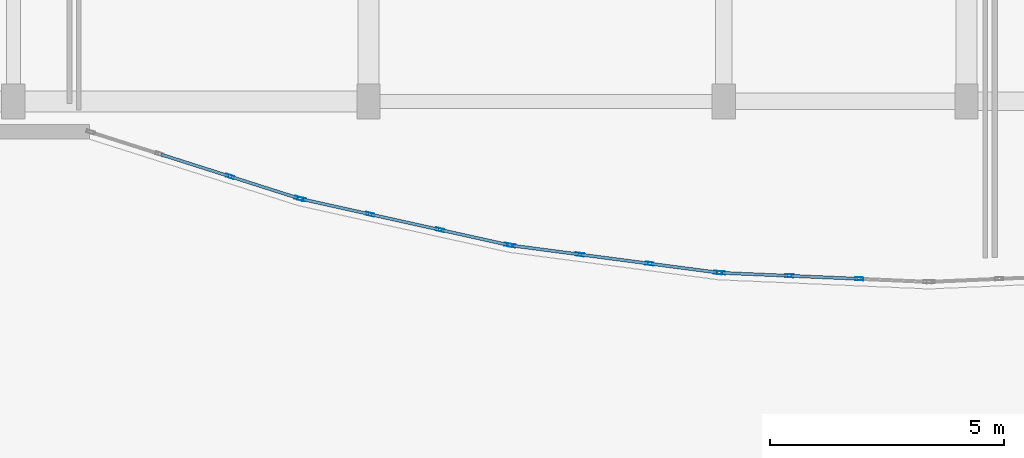
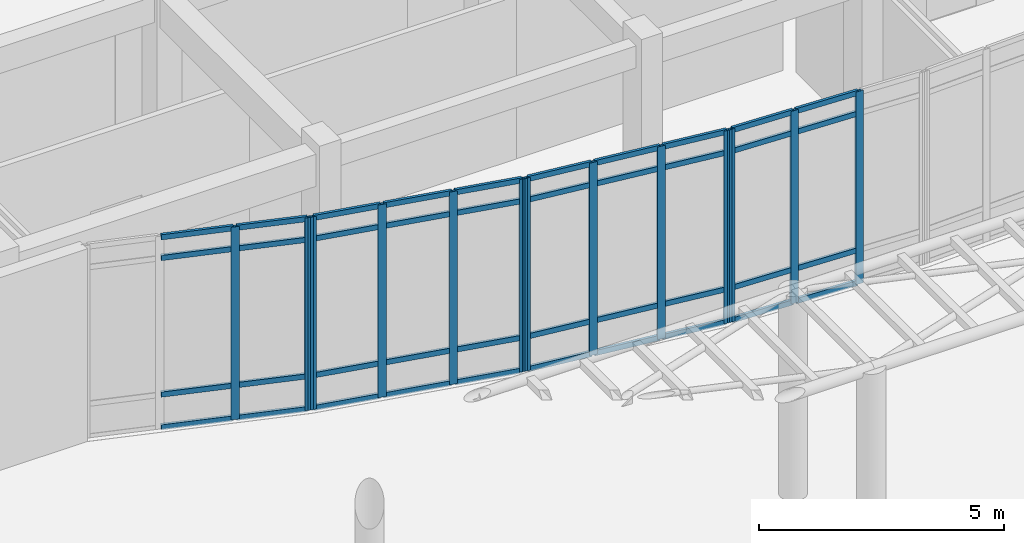
# One storey, part 55 of 121: 53 members, 4 elements without a shape of their own.
"""IFC4 building model written with IfcOpenShell, lengths in metres."""

from ifc_helpers import new_model, si_unit, direction, frame, origin, origin_2d, place, context, subcontext, project, spatial, hollow_rectangle, extrude, material, layer, layer_set, material_profile, profile_set, type_object, element, aggregate, save


model = new_model("IFC4")

# Units and contexts
model_context = context("Model", 3, precision=1e-05, world=origin(), true_north=direction((0.0, 1.0)))
body_context = subcontext(model_context, "Body", "Model", "MODEL_VIEW")
ifc_project = project(units=[si_unit("LENGTHUNIT", "METRE"), si_unit("AREAUNIT", "SQUARE_METRE"), si_unit("VOLUMEUNIT", "CUBIC_METRE"), si_unit("PLANEANGLEUNIT", "RADIAN"), si_unit("MASSUNIT", "GRAM", prefix="KILO")], contexts=[model_context])

# Site, building, storey
site_placement = place(None, origin())
site = spatial("IfcSite", under=ifc_project, at=site_placement, CompositionType="ELEMENT")
building_placement = place(site_placement, origin())
building = spatial("IfcBuilding", under=site, at=building_placement, Name="Valcora Specialist Clinic", CompositionType="ELEMENT")
storey_placement = place(building_placement, origin())
storey = spatial("IfcBuildingStorey", under=building, at=storey_placement, Name="L00", CompositionType="ELEMENT", Elevation=0.0)

# Curtain wall, members
ifc_material = material(Name="Anodized Bronze Aluminium 6063-T6", Category="aluminium")
ifc_layer = layer(ifc_material, 0.175048828125)
ifc_layer_set = layer_set([ifc_layer], Name="Anodized Bronze Aluminium 6063-T6")
curtain_wall_type = type_object("IfcCurtainWallType", Name="TY-CW-ARC51", PredefinedType="NOTDEFINED", material=ifc_layer_set)
curtain_wall_1_placement = place(storey_placement, origin())
curtain_wall_1 = element("IfcCurtainWall", 1, at=curtain_wall_1_placement, inside=storey, type_object=curtain_wall_type, Name="Curtain wall CW-L00-025", PredefinedType="NOTDEFINED")
ifc_material_profile_1 = material_profile(ifc_material, hollow_rectangle(XDim=0.06494140625, YDim=0.175048828125, WallThickness=0.00390625, at=origin_2d()), Name="AL-MUL-65X175")
ifc_profile_set_1 = profile_set([ifc_material_profile_1], Name="Anodized Bronze Aluminium 6063-T6")
member_type_1 = type_object("IfcMemberType", Name="TY-CWM-65X175", PredefinedType="MULLION", material=ifc_profile_set_1)
member_1_placement = place(storey_placement, frame((108.904296875, 71.0, 0.0), z_axis=(0.0, 0.0, 1.0), x_axis=(-0.043306780525, -0.999061821291, 0.0)))
member_1 = element("IfcMember", 2, at=member_1_placement, type_object=member_type_1, Name="CW-ARC-51 mullion 2", PredefinedType="MULLION", context=body_context, shape_type="SweptSolid", body=[
    extrude(hollow_rectangle(XDim=0.06494140625, YDim=0.175048828125, WallThickness=0.00390625, at=origin_2d()), origin(), (0.0, 0.0, 1.0), 4.81005859375),
])
member_2_placement = place(storey_placement, frame((107.40869140625, 71.064697265625, 0.0), z_axis=(0.0, 0.0, 1.0), x_axis=(-0.043306780525, -0.999061821291, 0.0)))
member_2 = element("IfcMember", 3, at=member_2_placement, type_object=member_type_1, Name="CW-ARC-51 mullion 3", PredefinedType="MULLION", context=body_context, shape_type="SweptSolid", body=[
    extrude(hollow_rectangle(XDim=0.06494140625, YDim=0.175048828125, WallThickness=0.00390625, at=origin_2d()), origin(), (0.0, 0.0, 1.0), 4.81005859375),
])
member_3_placement = place(storey_placement, frame((105.945556640625, 71.128173828125, 0.0), z_axis=(0.0, 0.0, 1.0), x_axis=(-0.043306780525, -0.999061821291, 0.0)))
member_3 = element("IfcMember", 4, at=member_3_placement, type_object=member_type_1, Name="CW-ARC-51 mullion 4", PredefinedType="MULLION", context=body_context, shape_type="SweptSolid", body=[
    extrude(hollow_rectangle(XDim=0.06494140625, YDim=0.175048828125, WallThickness=0.00390625, at=origin_2d()), origin(), (0.0, 0.0, 1.0), 4.81005859375),
])

curtain_wall_2_placement = place(storey_placement, origin())
curtain_wall_2 = element("IfcCurtainWall", 5, at=curtain_wall_2_placement, inside=storey, type_object=curtain_wall_type, Name="Curtain wall CW-L00-026", PredefinedType="NOTDEFINED")
member_4_placement = place(storey_placement, frame((105.880859375, 71.1337890625, 0.0), z_axis=(0.0, 0.0, 1.0), x_axis=(-0.129999492259, -0.991514060421, 0.0)))
member_4 = element("IfcMember", 6, at=member_4_placement, type_object=member_type_1, Name="CW-ARC-51 mullion 1", PredefinedType="MULLION", context=body_context, shape_type="SweptSolid", body=[
    extrude(hollow_rectangle(XDim=0.06494140625, YDim=0.175048828125, WallThickness=0.00390625, at=origin_2d()), origin(), (0.0, 0.0, 1.0), 4.81005859375),
])
member_5_placement = place(storey_placement, frame((104.417236328125, 71.32568359375, 0.0), z_axis=(0.0, 0.0, 1.0), x_axis=(-0.129999492259, -0.991514060421, 0.0)))
member_5 = element("IfcMember", 7, at=member_5_placement, type_object=member_type_1, Name="CW-ARC-51 mullion 2", PredefinedType="MULLION", context=body_context, shape_type="SweptSolid", body=[
    extrude(hollow_rectangle(XDim=0.06494140625, YDim=0.175048828125, WallThickness=0.00390625, at=origin_2d()), origin(), (0.0, 0.0, 1.0), 4.81005859375),
])
member_6_placement = place(storey_placement, frame((102.921630859375, 71.521728515625, 0.0), z_axis=(0.0, 0.0, 1.0), x_axis=(-0.129999492259, -0.991514060421, 0.0)))
member_6 = element("IfcMember", 8, at=member_6_placement, type_object=member_type_1, Name="CW-ARC-51 mullion 3", PredefinedType="MULLION", context=body_context, shape_type="SweptSolid", body=[
    extrude(hollow_rectangle(XDim=0.06494140625, YDim=0.175048828125, WallThickness=0.00390625, at=origin_2d()), origin(), (0.0, 0.0, 1.0), 4.81005859375),
])
member_7_placement = place(storey_placement, frame((101.458251953125, 71.713623046875, 0.0), z_axis=(0.0, 0.0, 1.0), x_axis=(-0.129999492259, -0.991514060421, 0.0)))
member_7 = element("IfcMember", 9, at=member_7_placement, type_object=member_type_1, Name="CW-ARC-51 mullion 4", PredefinedType="MULLION", context=body_context, shape_type="SweptSolid", body=[
    extrude(hollow_rectangle(XDim=0.06494140625, YDim=0.175048828125, WallThickness=0.00390625, at=origin_2d()), origin(), (0.0, 0.0, 1.0), 4.81005859375),
])

curtain_wall_3_placement = place(storey_placement, origin())
curtain_wall_3 = element("IfcCurtainWall", 10, at=curtain_wall_3_placement, inside=storey, type_object=curtain_wall_type, Name="Curtain wall CW-L00-027", PredefinedType="NOTDEFINED")
member_8_placement = place(storey_placement, frame((101.394287109375, 71.724853515625, 0.0), z_axis=(0.0, 0.0, 1.0), x_axis=(-0.216518052372, -0.976278614432, 0.0)))
member_8 = element("IfcMember", 11, at=member_8_placement, type_object=member_type_1, Name="CW-ARC-51 mullion 1", PredefinedType="MULLION", context=body_context, shape_type="SweptSolid", body=[
    extrude(hollow_rectangle(XDim=0.06494140625, YDim=0.175048828125, WallThickness=0.00390625, at=origin_2d()), origin(), (0.0, 0.0, 1.0), 4.81005859375),
])
member_9_placement = place(storey_placement, frame((99.930419921875, 72.049560546875, 0.0), z_axis=(0.0, 0.0, 1.0), x_axis=(-0.216518052372, -0.976278614432, 0.0)))
member_9 = element("IfcMember", 12, at=member_9_placement, type_object=member_type_1, Name="CW-ARC-51 mullion 2", PredefinedType="MULLION", context=body_context, shape_type="SweptSolid", body=[
    extrude(hollow_rectangle(XDim=0.06494140625, YDim=0.175048828125, WallThickness=0.00390625, at=origin_2d()), origin(), (0.0, 0.0, 1.0), 4.81005859375),
])
member_10_placement = place(storey_placement, frame((98.434814453125, 72.38134765625, 0.0), z_axis=(0.0, 0.0, 1.0), x_axis=(-0.216518052372, -0.976278614432, 0.0)))
member_10 = element("IfcMember", 13, at=member_10_placement, type_object=member_type_1, Name="CW-ARC-51 mullion 3", PredefinedType="MULLION", context=body_context, shape_type="SweptSolid", body=[
    extrude(hollow_rectangle(XDim=0.06494140625, YDim=0.175048828125, WallThickness=0.00390625, at=origin_2d()), origin(), (0.0, 0.0, 1.0), 4.81005859375),
])
member_11_placement = place(storey_placement, frame((96.970947265625, 72.7060546875, 0.0), z_axis=(0.0, 0.0, 1.0), x_axis=(-0.216518052372, -0.976278614432, 0.0)))
member_11 = element("IfcMember", 14, at=member_11_placement, type_object=member_type_1, Name="CW-ARC-51 mullion 4", PredefinedType="MULLION", context=body_context, shape_type="SweptSolid", body=[
    extrude(hollow_rectangle(XDim=0.06494140625, YDim=0.175048828125, WallThickness=0.00390625, at=origin_2d()), origin(), (0.0, 0.0, 1.0), 4.81005859375),
])

curtain_wall_4_placement = place(storey_placement, origin())
curtain_wall_4 = element("IfcCurtainWall", 15, at=curtain_wall_4_placement, inside=storey, type_object=curtain_wall_type, Name="Curtain wall CW-L00-028", PredefinedType="NOTDEFINED")
member_12_placement = place(storey_placement, frame((96.908203125, 72.722900390625, 0.0), z_axis=(0.0, 0.0, 1.0), x_axis=(-0.303233270958, -0.952916356972, 0.0)))
member_12 = element("IfcMember", 16, at=member_12_placement, type_object=member_type_1, Name="CW-ARC-51 mullion 1", PredefinedType="MULLION", context=body_context, shape_type="SweptSolid", body=[
    extrude(hollow_rectangle(XDim=0.06494140625, YDim=0.175048828125, WallThickness=0.00390625, at=origin_2d()), origin(), (0.0, 0.0, 1.0), 4.81005859375),
])
member_13_placement = place(storey_placement, frame((95.433837890625, 73.19189453125, 0.0), z_axis=(0.0, 0.0, 1.0), x_axis=(-0.303233270958, -0.952916356972, 0.0)))
member_13 = element("IfcMember", 17, at=member_13_placement, type_object=member_type_1, Name="CW-ARC-51 mullion 2", PredefinedType="MULLION", context=body_context, shape_type="SweptSolid", body=[
    extrude(hollow_rectangle(XDim=0.06494140625, YDim=0.175048828125, WallThickness=0.00390625, at=origin_2d()), origin(), (0.0, 0.0, 1.0), 4.81005859375),
])

# Member
ifc_material_profile_2 = material_profile(ifc_material, hollow_rectangle(XDim=0.06494140625, YDim=0.1298828125, WallThickness=0.00390625, at=origin_2d()), Name="AL-TRN-65X130")
ifc_profile_set_2 = profile_set([ifc_material_profile_2], Name="Anodized Bronze Aluminium 6063-T6")
member_type_2 = type_object("IfcMemberType", Name="TY-CWT-65X130", PredefinedType="USERDEFINED", material=ifc_profile_set_2)
member_14_placement = place(storey_placement, frame((108.871826171875, 71.001220703125, 0.032470703125), z_axis=(-0.999054549301, 0.043474216736, 0.0), x_axis=(-0.043474216736, -0.999054549301, 0.0)))
member_14 = element("IfcMember", 18, at=member_14_placement, type_object=member_type_2, Name="CW-ARC-51 transom 2.1", ObjectType="TRANSOM", PredefinedType="USERDEFINED", context=body_context, shape_type="SweptSolid", body=[
    extrude(hollow_rectangle(XDim=0.06494140625, YDim=0.1298828125, WallThickness=0.00390625, at=origin_2d()), origin(), (0.0, 0.0, 1.0), 1.43212890625),
])

member_15_placement = place(storey_placement, frame((108.871826171875, 71.001220703125, 0.85009765625), z_axis=(-0.999054549301, 0.043474216736, 0.0), x_axis=(-0.043474216736, -0.999054549301, 0.0)))
member_15 = element("IfcMember", 19, at=member_15_placement, type_object=member_type_2, Name="CW-ARC-51 transom 2.2", ObjectType="TRANSOM", PredefinedType="USERDEFINED", context=body_context, shape_type="SweptSolid", body=[
    extrude(hollow_rectangle(XDim=0.06494140625, YDim=0.1298828125, WallThickness=0.00390625, at=origin_2d()), origin(), (0.0, 0.0, 1.0), 1.43212890625),
])

member_16_placement = place(storey_placement, frame((108.871826171875, 71.001220703125, 4.260009765625), z_axis=(-0.999054549301, 0.043474216736, 0.0), x_axis=(-0.043474216736, -0.999054549301, 0.0)))
member_16 = element("IfcMember", 20, at=member_16_placement, type_object=member_type_2, Name="CW-ARC-51 transom 2.3", ObjectType="TRANSOM", PredefinedType="USERDEFINED", context=body_context, shape_type="SweptSolid", body=[
    extrude(hollow_rectangle(XDim=0.06494140625, YDim=0.1298828125, WallThickness=0.00390625, at=origin_2d()), origin(), (0.0, 0.0, 1.0), 1.43212890625),
])

member_17_placement = place(storey_placement, frame((108.871826171875, 71.001220703125, 4.777587890625), z_axis=(-0.999054549301, 0.043474216736, 0.0), x_axis=(-0.043474216736, -0.999054549301, 0.0)))
member_17 = element("IfcMember", 21, at=member_17_placement, type_object=member_type_2, Name="CW-ARC-51 transom 2.4", ObjectType="TRANSOM", PredefinedType="USERDEFINED", context=body_context, shape_type="SweptSolid", body=[
    extrude(hollow_rectangle(XDim=0.06494140625, YDim=0.1298828125, WallThickness=0.00390625, at=origin_2d()), origin(), (0.0, 0.0, 1.0), 1.43212890625),
])

member_18_placement = place(storey_placement, frame((107.376220703125, 71.066162109375, 0.032470703125), z_axis=(-0.999063713567, 0.043263104761, 0.0), x_axis=(-0.043263104761, -0.999063713567, 0.0)))
member_18 = element("IfcMember", 22, at=member_18_placement, type_object=member_type_2, Name="CW-ARC-51 transom 3.1", ObjectType="TRANSOM", PredefinedType="USERDEFINED", context=body_context, shape_type="SweptSolid", body=[
    extrude(hollow_rectangle(XDim=0.06494140625, YDim=0.1298828125, WallThickness=0.00390625, at=origin_2d()), origin(), (0.0, 0.0, 1.0), 1.3994140625),
])

member_19_placement = place(storey_placement, frame((107.376220703125, 71.066162109375, 0.85009765625), z_axis=(-0.999063713567, 0.043263104761, 0.0), x_axis=(-0.043263104761, -0.999063713567, 0.0)))
member_19 = element("IfcMember", 23, at=member_19_placement, type_object=member_type_2, Name="CW-ARC-51 transom 3.2", ObjectType="TRANSOM", PredefinedType="USERDEFINED", context=body_context, shape_type="SweptSolid", body=[
    extrude(hollow_rectangle(XDim=0.06494140625, YDim=0.1298828125, WallThickness=0.00390625, at=origin_2d()), origin(), (0.0, 0.0, 1.0), 1.3994140625),
])

member_20_placement = place(storey_placement, frame((107.376220703125, 71.066162109375, 4.260009765625), z_axis=(-0.999063713567, 0.043263104761, 0.0), x_axis=(-0.043263104761, -0.999063713567, 0.0)))
member_20 = element("IfcMember", 24, at=member_20_placement, type_object=member_type_2, Name="CW-ARC-51 transom 3.3", ObjectType="TRANSOM", PredefinedType="USERDEFINED", context=body_context, shape_type="SweptSolid", body=[
    extrude(hollow_rectangle(XDim=0.06494140625, YDim=0.1298828125, WallThickness=0.00390625, at=origin_2d()), origin(), (0.0, 0.0, 1.0), 1.3994140625),
])

member_21_placement = place(storey_placement, frame((107.376220703125, 71.066162109375, 4.777587890625), z_axis=(-0.999063713567, 0.043263104761, 0.0), x_axis=(-0.043263104761, -0.999063713567, 0.0)))
member_21 = element("IfcMember", 25, at=member_21_placement, type_object=member_type_2, Name="CW-ARC-51 transom 3.4", ObjectType="TRANSOM", PredefinedType="USERDEFINED", context=body_context, shape_type="SweptSolid", body=[
    extrude(hollow_rectangle(XDim=0.06494140625, YDim=0.1298828125, WallThickness=0.00390625, at=origin_2d()), origin(), (0.0, 0.0, 1.0), 1.3994140625),
])

aggregate(curtain_wall_1, [member_1, member_2, member_3, member_14, member_15, member_16, member_17, member_18, member_19, member_20, member_21])

member_22_placement = place(storey_placement, frame((105.8486328125, 71.137939453125, 0.032470703125), z_axis=(-0.991500752316, 0.130100953715, 0.0), x_axis=(-0.130100953715, -0.991500752316, 0.0)))
member_22 = element("IfcMember", 26, at=member_22_placement, type_object=member_type_2, Name="CW-ARC-51 transom 1.1", ObjectType="TRANSOM", PredefinedType="USERDEFINED", context=body_context, shape_type="SweptSolid", body=[
    extrude(hollow_rectangle(XDim=0.06494140625, YDim=0.1298828125, WallThickness=0.00390625, at=origin_2d()), origin(), (0.0, 0.0, 1.0), 1.4111328125),
])

member_23_placement = place(storey_placement, frame((105.8486328125, 71.137939453125, 0.85009765625), z_axis=(-0.991500752316, 0.130100953715, 0.0), x_axis=(-0.130100953715, -0.991500752316, 0.0)))
member_23 = element("IfcMember", 27, at=member_23_placement, type_object=member_type_2, Name="CW-ARC-51 transom 1.2", ObjectType="TRANSOM", PredefinedType="USERDEFINED", context=body_context, shape_type="SweptSolid", body=[
    extrude(hollow_rectangle(XDim=0.06494140625, YDim=0.1298828125, WallThickness=0.00390625, at=origin_2d()), origin(), (0.0, 0.0, 1.0), 1.4111328125),
])

member_24_placement = place(storey_placement, frame((105.8486328125, 71.137939453125, 4.260009765625), z_axis=(-0.991500752316, 0.130100953715, 0.0), x_axis=(-0.130100953715, -0.991500752316, 0.0)))
member_24 = element("IfcMember", 28, at=member_24_placement, type_object=member_type_2, Name="CW-ARC-51 transom 1.3", ObjectType="TRANSOM", PredefinedType="USERDEFINED", context=body_context, shape_type="SweptSolid", body=[
    extrude(hollow_rectangle(XDim=0.06494140625, YDim=0.1298828125, WallThickness=0.00390625, at=origin_2d()), origin(), (0.0, 0.0, 1.0), 1.4111328125),
])

member_25_placement = place(storey_placement, frame((105.8486328125, 71.137939453125, 4.777587890625), z_axis=(-0.991500752316, 0.130100953715, 0.0), x_axis=(-0.130100953715, -0.991500752316, 0.0)))
member_25 = element("IfcMember", 29, at=member_25_placement, type_object=member_type_2, Name="CW-ARC-51 transom 1.4", ObjectType="TRANSOM", PredefinedType="USERDEFINED", context=body_context, shape_type="SweptSolid", body=[
    extrude(hollow_rectangle(XDim=0.06494140625, YDim=0.1298828125, WallThickness=0.00390625, at=origin_2d()), origin(), (0.0, 0.0, 1.0), 1.4111328125),
])

member_26_placement = place(storey_placement, frame((104.385009765625, 71.329833984375, 0.032470703125), z_axis=(-0.991504882499, 0.130069473668, 0.0), x_axis=(-0.130069473668, -0.991504882499, 0.0)))
member_26 = element("IfcMember", 30, at=member_26_placement, type_object=member_type_2, Name="CW-ARC-51 transom 2.1", ObjectType="TRANSOM", PredefinedType="USERDEFINED", context=body_context, shape_type="SweptSolid", body=[
    extrude(hollow_rectangle(XDim=0.06494140625, YDim=0.1298828125, WallThickness=0.00390625, at=origin_2d()), origin(), (0.0, 0.0, 1.0), 1.443359375),
])

member_27_placement = place(storey_placement, frame((104.385009765625, 71.329833984375, 0.85009765625), z_axis=(-0.991504882499, 0.130069473668, 0.0), x_axis=(-0.130069473668, -0.991504882499, 0.0)))
member_27 = element("IfcMember", 31, at=member_27_placement, type_object=member_type_2, Name="CW-ARC-51 transom 2.2", ObjectType="TRANSOM", PredefinedType="USERDEFINED", context=body_context, shape_type="SweptSolid", body=[
    extrude(hollow_rectangle(XDim=0.06494140625, YDim=0.1298828125, WallThickness=0.00390625, at=origin_2d()), origin(), (0.0, 0.0, 1.0), 1.443359375),
])

member_28_placement = place(storey_placement, frame((104.385009765625, 71.329833984375, 4.260009765625), z_axis=(-0.991504882499, 0.130069473668, 0.0), x_axis=(-0.130069473668, -0.991504882499, 0.0)))
member_28 = element("IfcMember", 32, at=member_28_placement, type_object=member_type_2, Name="CW-ARC-51 transom 2.3", ObjectType="TRANSOM", PredefinedType="USERDEFINED", context=body_context, shape_type="SweptSolid", body=[
    extrude(hollow_rectangle(XDim=0.06494140625, YDim=0.1298828125, WallThickness=0.00390625, at=origin_2d()), origin(), (0.0, 0.0, 1.0), 1.443359375),
])

member_29_placement = place(storey_placement, frame((104.385009765625, 71.329833984375, 4.777587890625), z_axis=(-0.991504882499, 0.130069473668, 0.0), x_axis=(-0.130069473668, -0.991504882499, 0.0)))
member_29 = element("IfcMember", 33, at=member_29_placement, type_object=member_type_2, Name="CW-ARC-51 transom 2.4", ObjectType="TRANSOM", PredefinedType="USERDEFINED", context=body_context, shape_type="SweptSolid", body=[
    extrude(hollow_rectangle(XDim=0.06494140625, YDim=0.1298828125, WallThickness=0.00390625, at=origin_2d()), origin(), (0.0, 0.0, 1.0), 1.443359375),
])

member_30_placement = place(storey_placement, frame((102.889404296875, 71.526123046875, 0.032470703125), z_axis=(-0.991520133728, 0.129953162379, 0.0), x_axis=(-0.129953162379, -0.991520133728, 0.0)))
member_30 = element("IfcMember", 34, at=member_30_placement, type_object=member_type_2, Name="CW-ARC-51 transom 3.1", ObjectType="TRANSOM", PredefinedType="USERDEFINED", context=body_context, shape_type="SweptSolid", body=[
    extrude(hollow_rectangle(XDim=0.06494140625, YDim=0.1298828125, WallThickness=0.00390625, at=origin_2d()), origin(), (0.0, 0.0, 1.0), 1.410888671875),
])

member_31_placement = place(storey_placement, frame((102.889404296875, 71.526123046875, 0.85009765625), z_axis=(-0.991520133728, 0.129953162379, 0.0), x_axis=(-0.129953162379, -0.991520133728, 0.0)))
member_31 = element("IfcMember", 35, at=member_31_placement, type_object=member_type_2, Name="CW-ARC-51 transom 3.2", ObjectType="TRANSOM", PredefinedType="USERDEFINED", context=body_context, shape_type="SweptSolid", body=[
    extrude(hollow_rectangle(XDim=0.06494140625, YDim=0.1298828125, WallThickness=0.00390625, at=origin_2d()), origin(), (0.0, 0.0, 1.0), 1.410888671875),
])

member_32_placement = place(storey_placement, frame((102.889404296875, 71.526123046875, 4.260009765625), z_axis=(-0.991520133728, 0.129953162379, 0.0), x_axis=(-0.129953162379, -0.991520133728, 0.0)))
member_32 = element("IfcMember", 36, at=member_32_placement, type_object=member_type_2, Name="CW-ARC-51 transom 3.3", ObjectType="TRANSOM", PredefinedType="USERDEFINED", context=body_context, shape_type="SweptSolid", body=[
    extrude(hollow_rectangle(XDim=0.06494140625, YDim=0.1298828125, WallThickness=0.00390625, at=origin_2d()), origin(), (0.0, 0.0, 1.0), 1.410888671875),
])

member_33_placement = place(storey_placement, frame((102.889404296875, 71.526123046875, 4.777587890625), z_axis=(-0.991520133728, 0.129953162379, 0.0), x_axis=(-0.129953162379, -0.991520133728, 0.0)))
member_33 = element("IfcMember", 37, at=member_33_placement, type_object=member_type_2, Name="CW-ARC-51 transom 3.4", ObjectType="TRANSOM", PredefinedType="USERDEFINED", context=body_context, shape_type="SweptSolid", body=[
    extrude(hollow_rectangle(XDim=0.06494140625, YDim=0.1298828125, WallThickness=0.00390625, at=origin_2d()), origin(), (0.0, 0.0, 1.0), 1.410888671875),
])

aggregate(curtain_wall_2, [member_4, member_5, member_6, member_7, member_22, member_23, member_24, member_25, member_26, member_27, member_28, member_29, member_30, member_31, member_32, member_33])

member_34_placement = place(storey_placement, frame((101.362548828125, 71.73193359375, 0.032470703125), z_axis=(-0.976283078872, 0.216497921256, 0.0), x_axis=(-0.216497921256, -0.976283078872, 0.0)))
member_34 = element("IfcMember", 38, at=member_34_placement, type_object=member_type_2, Name="CW-ARC-51 transom 1.1", ObjectType="TRANSOM", PredefinedType="USERDEFINED", context=body_context, shape_type="SweptSolid", body=[
    extrude(hollow_rectangle(XDim=0.06494140625, YDim=0.1298828125, WallThickness=0.00390625, at=origin_2d()), origin(), (0.0, 0.0, 1.0), 1.434326171875),
])

member_35_placement = place(storey_placement, frame((101.362548828125, 71.73193359375, 0.85009765625), z_axis=(-0.976283078872, 0.216497921256, 0.0), x_axis=(-0.216497921256, -0.976283078872, 0.0)))
member_35 = element("IfcMember", 39, at=member_35_placement, type_object=member_type_2, Name="CW-ARC-51 transom 1.2", ObjectType="TRANSOM", PredefinedType="USERDEFINED", context=body_context, shape_type="SweptSolid", body=[
    extrude(hollow_rectangle(XDim=0.06494140625, YDim=0.1298828125, WallThickness=0.00390625, at=origin_2d()), origin(), (0.0, 0.0, 1.0), 1.434326171875),
])

member_36_placement = place(storey_placement, frame((101.362548828125, 71.73193359375, 4.260009765625), z_axis=(-0.976283078872, 0.216497921256, 0.0), x_axis=(-0.216497921256, -0.976283078872, 0.0)))
member_36 = element("IfcMember", 40, at=member_36_placement, type_object=member_type_2, Name="CW-ARC-51 transom 1.3", ObjectType="TRANSOM", PredefinedType="USERDEFINED", context=body_context, shape_type="SweptSolid", body=[
    extrude(hollow_rectangle(XDim=0.06494140625, YDim=0.1298828125, WallThickness=0.00390625, at=origin_2d()), origin(), (0.0, 0.0, 1.0), 1.434326171875),
])

member_37_placement = place(storey_placement, frame((101.362548828125, 71.73193359375, 4.777587890625), z_axis=(-0.976283078872, 0.216497921256, 0.0), x_axis=(-0.216497921256, -0.976283078872, 0.0)))
member_37 = element("IfcMember", 41, at=member_37_placement, type_object=member_type_2, Name="CW-ARC-51 transom 1.4", ObjectType="TRANSOM", PredefinedType="USERDEFINED", context=body_context, shape_type="SweptSolid", body=[
    extrude(hollow_rectangle(XDim=0.06494140625, YDim=0.1298828125, WallThickness=0.00390625, at=origin_2d()), origin(), (0.0, 0.0, 1.0), 1.434326171875),
])

member_38_placement = place(storey_placement, frame((99.898681640625, 72.056640625, 0.032470703125), z_axis=(-0.976277043921, 0.216525133676, 0.0), x_axis=(-0.216525133676, -0.976277043921, 0.0)))
member_38 = element("IfcMember", 42, at=member_38_placement, type_object=member_type_2, Name="CW-ARC-51 transom 2.1", ObjectType="TRANSOM", PredefinedType="USERDEFINED", context=body_context, shape_type="SweptSolid", body=[
    extrude(hollow_rectangle(XDim=0.06494140625, YDim=0.1298828125, WallThickness=0.00390625, at=origin_2d()), origin(), (0.0, 0.0, 1.0), 1.467041015625),
])

member_39_placement = place(storey_placement, frame((99.898681640625, 72.056640625, 0.85009765625), z_axis=(-0.976277043921, 0.216525133676, 0.0), x_axis=(-0.216525133676, -0.976277043921, 0.0)))
member_39 = element("IfcMember", 43, at=member_39_placement, type_object=member_type_2, Name="CW-ARC-51 transom 2.2", ObjectType="TRANSOM", PredefinedType="USERDEFINED", context=body_context, shape_type="SweptSolid", body=[
    extrude(hollow_rectangle(XDim=0.06494140625, YDim=0.1298828125, WallThickness=0.00390625, at=origin_2d()), origin(), (0.0, 0.0, 1.0), 1.467041015625),
])

member_40_placement = place(storey_placement, frame((99.898681640625, 72.056640625, 4.260009765625), z_axis=(-0.976277043921, 0.216525133676, 0.0), x_axis=(-0.216525133676, -0.976277043921, 0.0)))
member_40 = element("IfcMember", 44, at=member_40_placement, type_object=member_type_2, Name="CW-ARC-51 transom 2.3", ObjectType="TRANSOM", PredefinedType="USERDEFINED", context=body_context, shape_type="SweptSolid", body=[
    extrude(hollow_rectangle(XDim=0.06494140625, YDim=0.1298828125, WallThickness=0.00390625, at=origin_2d()), origin(), (0.0, 0.0, 1.0), 1.467041015625),
])

member_41_placement = place(storey_placement, frame((99.898681640625, 72.056640625, 4.777587890625), z_axis=(-0.976277043921, 0.216525133676, 0.0), x_axis=(-0.216525133676, -0.976277043921, 0.0)))
member_41 = element("IfcMember", 45, at=member_41_placement, type_object=member_type_2, Name="CW-ARC-51 transom 2.4", ObjectType="TRANSOM", PredefinedType="USERDEFINED", context=body_context, shape_type="SweptSolid", body=[
    extrude(hollow_rectangle(XDim=0.06494140625, YDim=0.1298828125, WallThickness=0.00390625, at=origin_2d()), origin(), (0.0, 0.0, 1.0), 1.467041015625),
])

member_42_placement = place(storey_placement, frame((98.403076171875, 72.388427734375, 0.032470703125), z_axis=(-0.976291054518, 0.216461952475, 0.0), x_axis=(-0.216461952475, -0.976291054518, 0.0)))
member_42 = element("IfcMember", 46, at=member_42_placement, type_object=member_type_2, Name="CW-ARC-51 transom 3.1", ObjectType="TRANSOM", PredefinedType="USERDEFINED", context=body_context, shape_type="SweptSolid", body=[
    extrude(hollow_rectangle(XDim=0.06494140625, YDim=0.1298828125, WallThickness=0.00390625, at=origin_2d()), origin(), (0.0, 0.0, 1.0), 1.4345703125),
])

member_43_placement = place(storey_placement, frame((98.403076171875, 72.388427734375, 0.85009765625), z_axis=(-0.976291054518, 0.216461952475, 0.0), x_axis=(-0.216461952475, -0.976291054518, 0.0)))
member_43 = element("IfcMember", 47, at=member_43_placement, type_object=member_type_2, Name="CW-ARC-51 transom 3.2", ObjectType="TRANSOM", PredefinedType="USERDEFINED", context=body_context, shape_type="SweptSolid", body=[
    extrude(hollow_rectangle(XDim=0.06494140625, YDim=0.1298828125, WallThickness=0.00390625, at=origin_2d()), origin(), (0.0, 0.0, 1.0), 1.4345703125),
])

member_44_placement = place(storey_placement, frame((98.403076171875, 72.388427734375, 4.260009765625), z_axis=(-0.976291054518, 0.216461952475, 0.0), x_axis=(-0.216461952475, -0.976291054518, 0.0)))
member_44 = element("IfcMember", 48, at=member_44_placement, type_object=member_type_2, Name="CW-ARC-51 transom 3.3", ObjectType="TRANSOM", PredefinedType="USERDEFINED", context=body_context, shape_type="SweptSolid", body=[
    extrude(hollow_rectangle(XDim=0.06494140625, YDim=0.1298828125, WallThickness=0.00390625, at=origin_2d()), origin(), (0.0, 0.0, 1.0), 1.4345703125),
])

member_45_placement = place(storey_placement, frame((98.403076171875, 72.388427734375, 4.777587890625), z_axis=(-0.976291054518, 0.216461952475, 0.0), x_axis=(-0.216461952475, -0.976291054518, 0.0)))
member_45 = element("IfcMember", 49, at=member_45_placement, type_object=member_type_2, Name="CW-ARC-51 transom 3.4", ObjectType="TRANSOM", PredefinedType="USERDEFINED", context=body_context, shape_type="SweptSolid", body=[
    extrude(hollow_rectangle(XDim=0.06494140625, YDim=0.1298828125, WallThickness=0.00390625, at=origin_2d()), origin(), (0.0, 0.0, 1.0), 1.4345703125),
])

aggregate(curtain_wall_3, [member_8, member_9, member_10, member_11, member_34, member_35, member_36, member_37, member_38, member_39, member_40, member_41, member_42, member_43, member_44, member_45])

member_46_placement = place(storey_placement, frame((96.877197265625, 72.732666015625, 0.032470703125), z_axis=(-0.952910635624, 0.303251249816, 0.0), x_axis=(-0.303251249816, -0.952910635624, 0.0)))
member_46 = element("IfcMember", 50, at=member_46_placement, type_object=member_type_2, Name="CW-ARC-51 transom 1.1", ObjectType="TRANSOM", PredefinedType="USERDEFINED", context=body_context, shape_type="SweptSolid", body=[
    extrude(hollow_rectangle(XDim=0.06494140625, YDim=0.1298828125, WallThickness=0.00390625, at=origin_2d()), origin(), (0.0, 0.0, 1.0), 1.482177734375),
])

member_47_placement = place(storey_placement, frame((96.877197265625, 72.732666015625, 0.85009765625), z_axis=(-0.952910635624, 0.303251249816, 0.0), x_axis=(-0.303251249816, -0.952910635624, 0.0)))
member_47 = element("IfcMember", 51, at=member_47_placement, type_object=member_type_2, Name="CW-ARC-51 transom 1.2", ObjectType="TRANSOM", PredefinedType="USERDEFINED", context=body_context, shape_type="SweptSolid", body=[
    extrude(hollow_rectangle(XDim=0.06494140625, YDim=0.1298828125, WallThickness=0.00390625, at=origin_2d()), origin(), (0.0, 0.0, 1.0), 1.482177734375),
])

member_48_placement = place(storey_placement, frame((96.877197265625, 72.732666015625, 4.260009765625), z_axis=(-0.952910635624, 0.303251249816, 0.0), x_axis=(-0.303251249816, -0.952910635624, 0.0)))
member_48 = element("IfcMember", 52, at=member_48_placement, type_object=member_type_2, Name="CW-ARC-51 transom 1.3", ObjectType="TRANSOM", PredefinedType="USERDEFINED", context=body_context, shape_type="SweptSolid", body=[
    extrude(hollow_rectangle(XDim=0.06494140625, YDim=0.1298828125, WallThickness=0.00390625, at=origin_2d()), origin(), (0.0, 0.0, 1.0), 1.482177734375),
])

member_49_placement = place(storey_placement, frame((96.877197265625, 72.732666015625, 4.777587890625), z_axis=(-0.952910635624, 0.303251249816, 0.0), x_axis=(-0.303251249816, -0.952910635624, 0.0)))
member_49 = element("IfcMember", 53, at=member_49_placement, type_object=member_type_2, Name="CW-ARC-51 transom 1.4", ObjectType="TRANSOM", PredefinedType="USERDEFINED", context=body_context, shape_type="SweptSolid", body=[
    extrude(hollow_rectangle(XDim=0.06494140625, YDim=0.1298828125, WallThickness=0.00390625, at=origin_2d()), origin(), (0.0, 0.0, 1.0), 1.482177734375),
])

member_50_placement = place(storey_placement, frame((95.40283203125, 73.201904296875, 0.032470703125), z_axis=(-0.952930013692, 0.303190351109, 0.0), x_axis=(-0.303190351109, -0.952930013692, 0.0)))
member_50 = element("IfcMember", 54, at=member_50_placement, type_object=member_type_2, Name="CW-ARC-51 transom 2.1", ObjectType="TRANSOM", PredefinedType="USERDEFINED", context=body_context, shape_type="SweptSolid", body=[
    extrude(hollow_rectangle(XDim=0.06494140625, YDim=0.1298828125, WallThickness=0.00390625, at=origin_2d()), origin(), (0.0, 0.0, 1.0), 1.5146484375),
])

member_51_placement = place(storey_placement, frame((95.40283203125, 73.201904296875, 0.85009765625), z_axis=(-0.952930013692, 0.303190351109, 0.0), x_axis=(-0.303190351109, -0.952930013692, 0.0)))
member_51 = element("IfcMember", 55, at=member_51_placement, type_object=member_type_2, Name="CW-ARC-51 transom 2.2", ObjectType="TRANSOM", PredefinedType="USERDEFINED", context=body_context, shape_type="SweptSolid", body=[
    extrude(hollow_rectangle(XDim=0.06494140625, YDim=0.1298828125, WallThickness=0.00390625, at=origin_2d()), origin(), (0.0, 0.0, 1.0), 1.5146484375),
])

member_52_placement = place(storey_placement, frame((95.40283203125, 73.201904296875, 4.260009765625), z_axis=(-0.952930013692, 0.303190351109, 0.0), x_axis=(-0.303190351109, -0.952930013692, 0.0)))
member_52 = element("IfcMember", 56, at=member_52_placement, type_object=member_type_2, Name="CW-ARC-51 transom 2.3", ObjectType="TRANSOM", PredefinedType="USERDEFINED", context=body_context, shape_type="SweptSolid", body=[
    extrude(hollow_rectangle(XDim=0.06494140625, YDim=0.1298828125, WallThickness=0.00390625, at=origin_2d()), origin(), (0.0, 0.0, 1.0), 1.5146484375),
])

member_53_placement = place(storey_placement, frame((95.40283203125, 73.201904296875, 4.777587890625), z_axis=(-0.952930013692, 0.303190351109, 0.0), x_axis=(-0.303190351109, -0.952930013692, 0.0)))
member_53 = element("IfcMember", 57, at=member_53_placement, type_object=member_type_2, Name="CW-ARC-51 transom 2.4", ObjectType="TRANSOM", PredefinedType="USERDEFINED", context=body_context, shape_type="SweptSolid", body=[
    extrude(hollow_rectangle(XDim=0.06494140625, YDim=0.1298828125, WallThickness=0.00390625, at=origin_2d()), origin(), (0.0, 0.0, 1.0), 1.5146484375),
])

aggregate(curtain_wall_4, [member_12, member_13, member_46, member_47, member_48, member_49, member_50, member_51, member_52, member_53])

save(model, "model.ifc")
